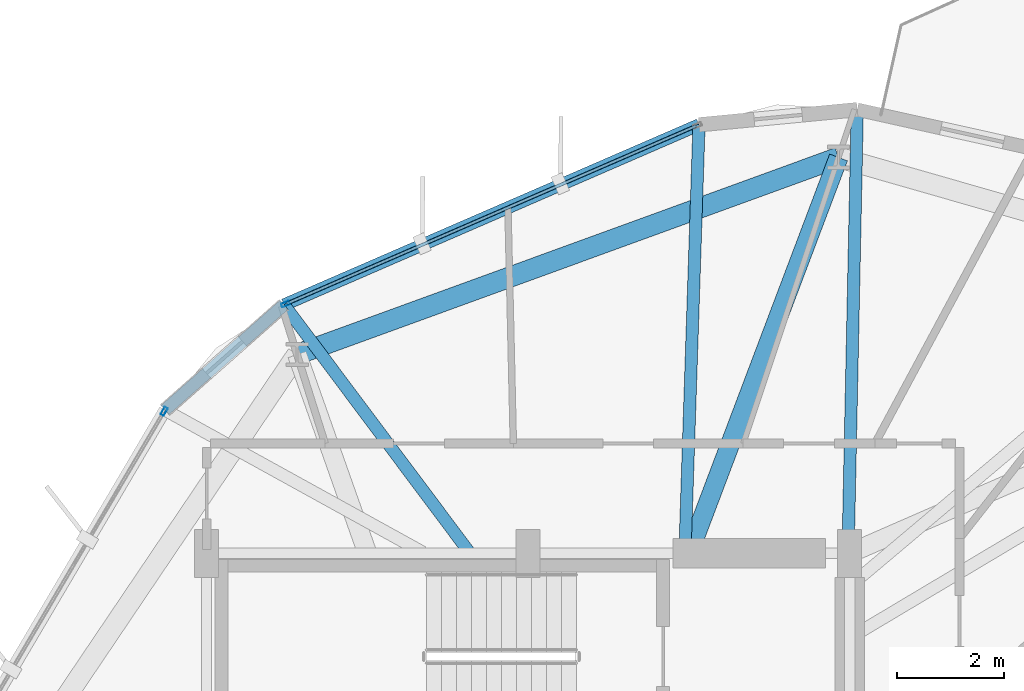
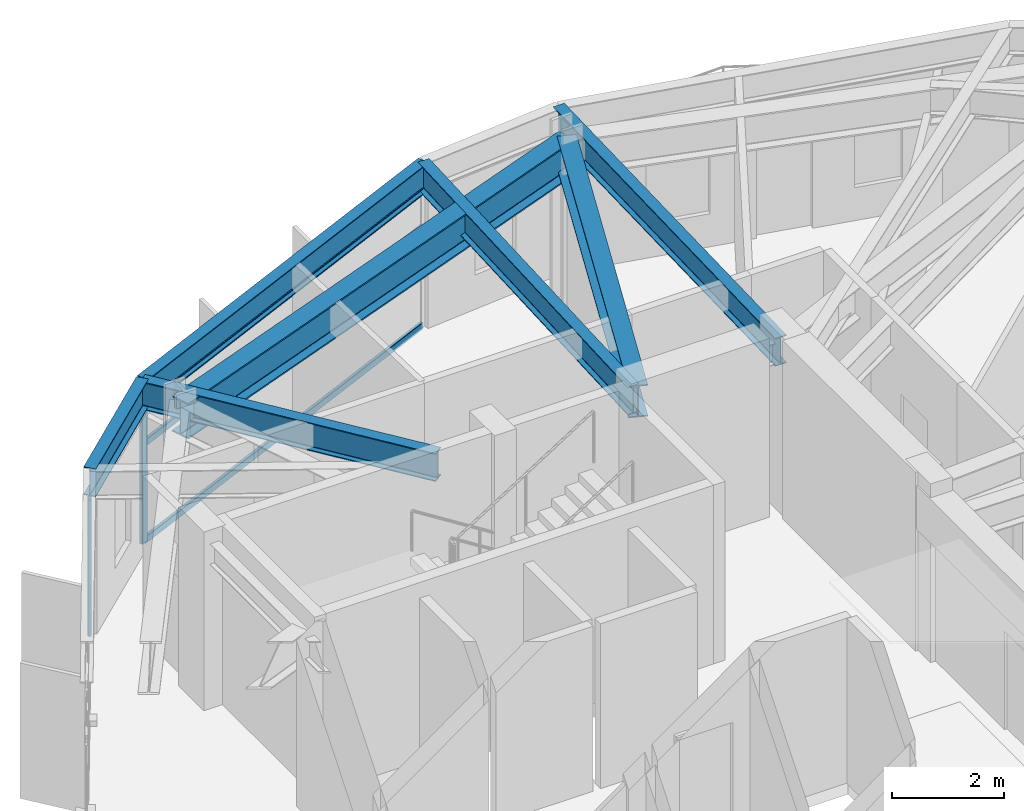
# One storey, part 14 of 23: 7 beams, 5 members, 2 elements without a shape of their own.
"""IFC4 building model written with IfcOpenShell, lengths in metres."""

from ifc_helpers import new_model, si_unit, direction, frame, origin, origin_2d, place, context, subcontext, project, spatial, hollow_rectangle, i_section, extrude, material, layer, layer_set, material_profile, profile_set, type_object, element, aggregate, save


model = new_model("IFC4")

# Units and contexts
model_context = context("Model", 3, precision=1e-05, world=origin(), true_north=direction((0.0, 1.0)))
body_context = subcontext(model_context, "Body", "Model", "MODEL_VIEW")
ifc_project = project(units=[si_unit("LENGTHUNIT", "METRE"), si_unit("AREAUNIT", "SQUARE_METRE"), si_unit("VOLUMEUNIT", "CUBIC_METRE"), si_unit("PLANEANGLEUNIT", "RADIAN"), si_unit("MASSUNIT", "GRAM", prefix="KILO")], contexts=[model_context])

# Site, building, storey
site_placement = place(None, origin())
site = spatial("IfcSite", under=ifc_project, at=site_placement, CompositionType="ELEMENT")
building_placement = place(site_placement, origin())
building = spatial("IfcBuilding", under=site, at=building_placement, Name="Soratama Intermodal Tower", CompositionType="ELEMENT")
storey_placement = place(building_placement, frame((0.0, 0.0, 118.60009765625)))
storey = spatial("IfcBuildingStorey", under=building, at=storey_placement, Name="L28", CompositionType="ELEMENT", Elevation=118.60009765625)

# Beams
ifc_material_1 = material(Name="Structural steel ASTM A992 Grade 50", Category="steel")
ifc_material_profile_1 = material_profile(ifc_material_1, i_section(OverallWidth=0.35498046875, OverallDepth=0.695068359375, WebThickness=0.015380859375, FlangeThickness=0.02490234375, FilletRadius=0.01611328125, at=origin_2d()), Name="W27X146")
ifc_profile_set_1 = profile_set([ifc_material_profile_1], Name="Structural steel ASTM A992 Grade 50")
beam_type_1 = type_object("IfcBeamType", Name="BM-RING-W27X146", PredefinedType="BEAM", material=ifc_profile_set_1)
beam_1_placement = place(storey_placement, frame((41.60009765625, 35.0, 3.25244140625), z_axis=(0.353577871145, 0.935405093549, 0.0), x_axis=(-0.935405093549, 0.353577871145, 0.0)))
element("IfcBeam", 1, at=beam_1_placement, inside=storey, type_object=beam_type_1, Name="BM-L28-RAD-03", PredefinedType="BEAM", context=body_context, shape_type="SweptSolid", body=[
    extrude(i_section(OverallWidth=0.35498046875, OverallDepth=0.695068359375, WebThickness=0.015380859375, FlangeThickness=0.02490234375, FilletRadius=0.01611328125, at=origin_2d()), origin(), (0.0, 0.0, 1.0), 7.899169921875),
])
ifc_material_2 = material(Name="Structural steel ASTM A992 Grade 50", Category="steel")
ifc_material_profile_2 = material_profile(ifc_material_2, i_section(OverallWidth=0.382080078125, OverallDepth=0.779052734375, WebThickness=0.01806640625, FlangeThickness=0.030029296875, FilletRadius=0.01806640625, at=origin_2d()), Name="W30X191")
ifc_profile_set_2 = profile_set([ifc_material_profile_2], Name="Structural steel ASTM A992 Grade 50")
beam_type_2 = type_object("IfcBeamType", Name="BM-RING-W30X191", PredefinedType="BEAM", material=ifc_profile_set_2)
beam_2_placement = place(storey_placement, frame((44.39306640625, 42.388916015625, 3.21044921875), z_axis=(-0.939690636038, -0.342025596326, 0.0), x_axis=(0.342025596326, -0.939690636038, 0.0)))
element("IfcBeam", 2, at=beam_2_placement, inside=storey, type_object=beam_type_2, Name="BM-L28-RING-03", PredefinedType="BEAM", context=body_context, shape_type="SweptSolid", body=[
    extrude(i_section(OverallWidth=0.382080078125, OverallDepth=0.779052734375, WebThickness=0.01806640625, FlangeThickness=0.030029296875, FilletRadius=0.01806640625, at=origin_2d()), origin(), (0.0, 0.0, 1.0), 10.75341796875),
])
ifc_material_3 = material(Name="Structural steel ASTM A992 Grade 50", Category="steel")
ifc_material_profile_3 = material_profile(ifc_material_3, i_section(OverallWidth=0.22900390625, OverallDepth=0.612060546875, WebThickness=0.011962890625, FlangeThickness=0.01953125, FilletRadius=0.012939453125, at=origin_2d()), Name="W24X84")
ifc_profile_set_3 = profile_set([ifc_material_profile_3], Name="Structural steel ASTM A992 Grade 50")
beam_type_3 = type_object("IfcBeamType", Name="BM-SPN-W24X84", PredefinedType="SPANDREL", material=ifc_profile_set_3)
beam_3_placement = place(storey_placement, frame((41.7890625, 42.9990234375, 3.2939453125), z_axis=(-0.917350790583, -0.398079799811, 0.0), x_axis=(0.398079799811, -0.917350790583, 0.0)))
element("IfcBeam", 3, at=beam_3_placement, inside=storey, type_object=beam_type_3, Name="BS-L28-F03", PredefinedType="SPANDREL", context=body_context, shape_type="SweptSolid", body=[
    extrude(i_section(OverallWidth=0.22900390625, OverallDepth=0.612060546875, WebThickness=0.011962890625, FlangeThickness=0.01953125, FilletRadius=0.012939453125, at=origin_2d()), origin(), (0.0, 0.0, 1.0), 8.440673828125),
])
beam_4_placement = place(storey_placement, frame((34.0458984375, 39.638916015625, 3.2939453125), z_axis=(-0.749422159825, -0.662092460585, 0.0), x_axis=(0.662092460585, -0.749422159825, 0.0)))
element("IfcBeam", 4, at=beam_4_placement, inside=storey, type_object=beam_type_3, Name="BS-L28-CRN03", PredefinedType="SPANDREL", context=body_context, shape_type="SweptSolid", body=[
    extrude(i_section(OverallWidth=0.22900390625, OverallDepth=0.612060546875, WebThickness=0.011962890625, FlangeThickness=0.01953125, FilletRadius=0.012939453125, at=origin_2d()), origin(), (0.0, 0.0, 1.0), 2.966064453125),
])
ifc_material_4 = material(Name="Structural steel ASTM A992 Grade 50", Category="steel")
ifc_material_profile_4 = material_profile(ifc_material_4, i_section(OverallWidth=0.22900390625, OverallDepth=0.612060546875, WebThickness=0.011962890625, FlangeThickness=0.01953125, FilletRadius=0.012939453125, at=origin_2d()), Name="W24X84")
ifc_profile_set_4 = profile_set([ifc_material_profile_4], Name="Structural steel ASTM A992 Grade 50")
beam_type_4 = type_object("IfcBeamType", Name="BM-TIE-W24X84", PredefinedType="BEAM", material=ifc_profile_set_4)
beam_5_placement = place(storey_placement, frame((44.571044921875, 35.0400390625, 3.2939453125), z_axis=(0.020849165357, 0.999782632528, 0.0), x_axis=(-0.999782632528, 0.020849165357, 0.0)))
element("IfcBeam", 5, at=beam_5_placement, inside=storey, type_object=beam_type_4, Name="BM-L28-TIE1-02", PredefinedType="BEAM", context=body_context, shape_type="SweptSolid", body=[
    extrude(i_section(OverallWidth=0.22900390625, OverallDepth=0.612060546875, WebThickness=0.011962890625, FlangeThickness=0.01953125, FilletRadius=0.012939453125, at=origin_2d()), origin(), (0.0, 0.0, 1.0), 8.24365234375),
])
beam_6_placement = place(storey_placement, frame((41.527099609375, 35.0400390625, 3.2939453125), z_axis=(0.032896296338, 0.999458770379, 0.0), x_axis=(-0.999458770379, 0.032896296338, 0.0)))
element("IfcBeam", 6, at=beam_6_placement, inside=storey, type_object=beam_type_4, Name="BM-L28-TIE0-03", PredefinedType="BEAM", context=body_context, shape_type="SweptSolid", body=[
    extrude(i_section(OverallWidth=0.22900390625, OverallDepth=0.612060546875, WebThickness=0.011962890625, FlangeThickness=0.01953125, FilletRadius=0.012939453125, at=origin_2d()), origin(), (0.0, 0.0, 1.0), 7.96337890625),
])
beam_7_placement = place(storey_placement, frame((37.492919921875, 35.031982421875, 3.2939453125), z_axis=(-0.599089881407, 0.800681780732, 0.0), x_axis=(-0.800681780732, -0.599089881407, 0.0)))
element("IfcBeam", 7, at=beam_7_placement, inside=storey, type_object=beam_type_4, Name="BM-L28-TIE1-03", PredefinedType="BEAM", context=body_context, shape_type="SweptSolid", body=[
    extrude(i_section(OverallWidth=0.22900390625, OverallDepth=0.612060546875, WebThickness=0.011962890625, FlangeThickness=0.01953125, FilletRadius=0.012939453125, at=origin_2d()), origin(), (0.0, 0.0, 1.0), 5.753662109375),
])

# Curtain wall, member
ifc_material_5 = material(Name="Double-glazed aluminium curtain wall", Category="aluminium")
ifc_layer = layer(ifc_material_5, 0.159912109375)
ifc_layer_set = layer_set([ifc_layer], Name="Double-glazed aluminium curtain wall")
curtain_wall_type = type_object("IfcCurtainWallType", Name="CW-SYS-3", PredefinedType="NOTDEFINED", material=ifc_layer_set)
curtain_wall_1_placement = place(storey_placement, origin())
curtain_wall_1 = element("IfcCurtainWall", 8, at=curtain_wall_1_placement, inside=storey, type_object=curtain_wall_type, Name="L28 Faceted Curtain Wall F03", PredefinedType="NOTDEFINED")
ifc_material_6 = material(Name="Anodised aluminium AA 6063-T6", Category="aluminium")
ifc_material_profile_5 = material_profile(ifc_material_6, hollow_rectangle(XDim=0.070068359375, YDim=0.159912109375, WallThickness=0.0048828125, InnerFilletRadius=0.0048828125, OuterFilletRadius=0.010009765625, at=origin_2d()), Name="CWM160X70X5")
ifc_profile_set_5 = profile_set([ifc_material_profile_5], Name="Anodised aluminium AA 6063-T6")
member_type_1 = type_object("IfcMemberType", Name="MT-CWM-3", PredefinedType="MULLION", material=ifc_profile_set_5)
member_1_placement = place(storey_placement, frame((34.073486328125, 39.65087890625, 0.0), z_axis=(0.0, 0.0, 1.0), x_axis=(0.398104403825, -0.917340113401, 0.0)))
member_1 = element("IfcMember", 9, at=member_1_placement, type_object=member_type_1, Name="CW-3 mullion 2", PredefinedType="MULLION", context=body_context, shape_type="SweptSolid", body=[
    extrude(hollow_rectangle(XDim=0.070068359375, YDim=0.159912109375, WallThickness=0.0048828125, InnerFilletRadius=0.0048828125, OuterFilletRadius=0.010009765625, at=origin_2d()), origin(), (0.0, 0.0, 1.0), 2.97900390625),
])

curtain_wall_2_placement = place(storey_placement, origin())
curtain_wall_2 = element("IfcCurtainWall", 10, at=curtain_wall_2_placement, inside=storey, type_object=curtain_wall_type, Name="L28 Faceted Curtain Wall F04", PredefinedType="NOTDEFINED")
member_2_placement = place(storey_placement, frame((31.8076171875, 37.64892578125, 0.0), z_axis=(0.0, 0.0, 1.0), x_axis=(0.861270190831, -0.508147280212, 0.0)))
member_2 = element("IfcMember", 11, at=member_2_placement, type_object=member_type_1, Name="CW-3 mullion 1", PredefinedType="MULLION", context=body_context, shape_type="SweptSolid", body=[
    extrude(hollow_rectangle(XDim=0.070068359375, YDim=0.159912109375, WallThickness=0.0048828125, InnerFilletRadius=0.0048828125, OuterFilletRadius=0.010009765625, at=origin_2d()), origin(), (0.0, 0.0, 1.0), 2.97900390625),
])
aggregate(curtain_wall_2, [member_2])

# Member
ifc_material_7 = material(Name="Anodised aluminium AA 6063-T6", Category="aluminium")
ifc_material_profile_6 = material_profile(ifc_material_7, hollow_rectangle(XDim=0.06494140625, YDim=0.14990234375, WallThickness=0.0048828125, InnerFilletRadius=0.0048828125, OuterFilletRadius=0.010009765625, at=origin_2d()), Name="CWT150X65X5")
ifc_profile_set_6 = profile_set([ifc_material_profile_6], Name="Anodised aluminium AA 6063-T6")
member_type_2 = type_object("IfcMemberType", Name="TT-CWT-1", PredefinedType="USERDEFINED", material=ifc_profile_set_6)
member_3_placement = place(storey_placement, frame((41.734375, 42.9755859375, 0.02978515625), z_axis=(-0.917337126623, -0.398111286098, 0.0), x_axis=(0.398111286098, -0.917337126623, 0.0)))
member_3 = element("IfcMember", 12, at=member_3_placement, type_object=member_type_2, Name="CW-3 transom 1.1", ObjectType="TRANSOM", PredefinedType="USERDEFINED", context=body_context, shape_type="SweptSolid", body=[
    extrude(hollow_rectangle(XDim=0.06494140625, YDim=0.14990234375, WallThickness=0.0048828125, InnerFilletRadius=0.0048828125, OuterFilletRadius=0.010009765625, at=origin_2d()), origin(), (0.0, 0.0, 1.0), 8.321044921875),
])

member_4_placement = place(storey_placement, frame((41.734375, 42.9755859375, 2.14990234375), z_axis=(-0.917337126623, -0.398111286098, 0.0), x_axis=(0.398111286098, -0.917337126623, 0.0)))
member_4 = element("IfcMember", 13, at=member_4_placement, type_object=member_type_2, Name="CW-3 transom 1.2", ObjectType="TRANSOM", PredefinedType="USERDEFINED", context=body_context, shape_type="SweptSolid", body=[
    extrude(hollow_rectangle(XDim=0.06494140625, YDim=0.14990234375, WallThickness=0.0048828125, InnerFilletRadius=0.0048828125, OuterFilletRadius=0.010009765625, at=origin_2d()), origin(), (0.0, 0.0, 1.0), 8.321044921875),
])

member_5_placement = place(storey_placement, frame((41.734375, 42.9755859375, 2.948974609375), z_axis=(-0.917337126623, -0.398111286098, 0.0), x_axis=(0.398111286098, -0.917337126623, 0.0)))
member_5 = element("IfcMember", 14, at=member_5_placement, type_object=member_type_2, Name="CW-3 transom 1.3", ObjectType="TRANSOM", PredefinedType="USERDEFINED", context=body_context, shape_type="SweptSolid", body=[
    extrude(hollow_rectangle(XDim=0.06494140625, YDim=0.14990234375, WallThickness=0.0048828125, InnerFilletRadius=0.0048828125, OuterFilletRadius=0.010009765625, at=origin_2d()), origin(), (0.0, 0.0, 1.0), 8.321044921875),
])

aggregate(curtain_wall_1, [member_1, member_3, member_4, member_5])

save(model, "model.ifc")
